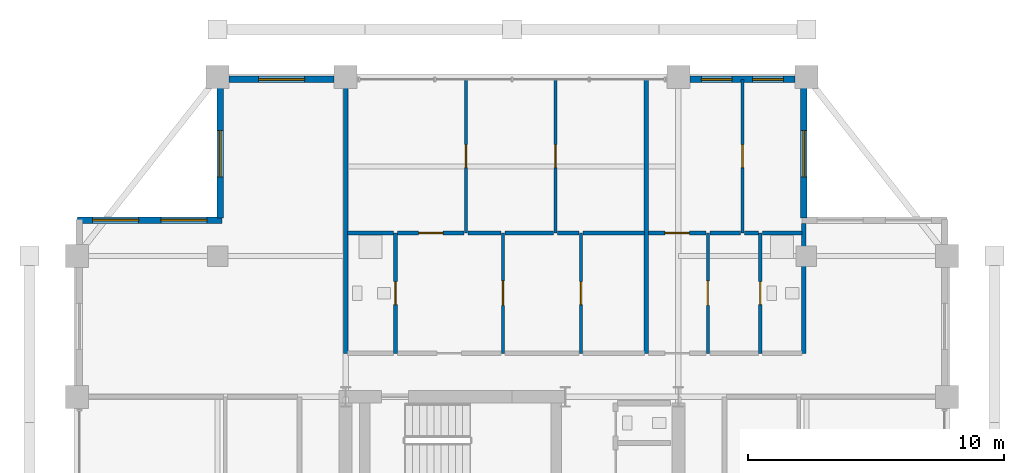
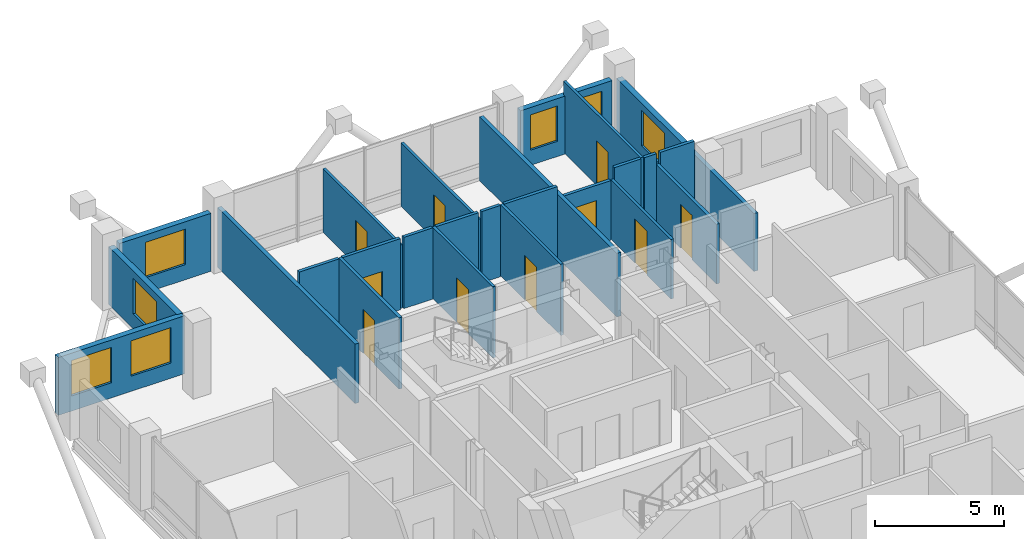
# One storey, part 21 of 24: 26 walls, 10 doors, 7 windows, 17 openings.
"""IFC4 building model written with IfcOpenShell, lengths in metres."""

import ifcopenshell
import ifcopenshell.guid

model = None  # the IFC model being written
_history = None  # IfcOwnerHistory: only IFC2X3 demands one
_inside = {}  # id of a spatial element -> (the spatial element, [elements in it])
_under = {}  # id of a project, library or spatial element -> (it, [spatial elements below it])
_declared = {}  # id of a project -> (the project, [libraries it declares])
_typed = {}  # id of a type object -> (the type object, [elements of that type])
_made_of = {}  # id of a material, layer set ... -> (it, [elements and type objects made of it])


def new_model(schema):
    """Start an empty IFC model of exactly this schema.

    Asked for "IFC4X3", IfcOpenShell would pick the latest addendum, in which some entities
    have other attributes; the version numbers below select the first issue.
    IFC2X3 requires an IfcOwnerHistory on every rooted entity: one is made here for all.
    """
    global model, _history
    if schema == "IFC4X3":
        model = ifcopenshell.file(schema_version=(4, 3, 0, 0))
    else:
        model = ifcopenshell.file(schema=schema)
    _inside.clear()
    _under.clear()
    _declared.clear()
    _typed.clear()
    _made_of.clear()
    _history = None
    if model.schema == "IFC2X3":
        org = make("IfcOrganization", Name="unknown")
        user = make(
            "IfcPersonAndOrganization",
            ThePerson=make("IfcPerson", FamilyName="unknown"),
            TheOrganization=org,
        )
        app = make(
            "IfcApplication",
            ApplicationDeveloper=org,
            Version="unknown",
            ApplicationFullName="unknown",
            ApplicationIdentifier="unknown",
        )
        _history = make(
            "IfcOwnerHistory",
            OwningUser=user,
            OwningApplication=app,
            ChangeAction="ADDED",
            CreationDate=0,
        )
    return model


def make(cls, **values):
    """One entity of the class cls with the attributes given. An attribute that is None is left unset."""
    return model.create_entity(
        cls, **{name: value for name, value in values.items() if value is not None}
    )


def rooted(cls, **values):
    """An entity with a GlobalId (a new one), such as an element, a storey or a relation."""
    return make(cls, GlobalId=ifcopenshell.guid.new(), OwnerHistory=_history, **values)


def si_unit(unit_type, name, prefix=None):
    """IfcSIUnit, for example si_unit("LENGTHUNIT", "METRE", prefix="MILLI")."""
    return make("IfcSIUnit", UnitType=unit_type, Prefix=prefix, Name=name)


def assignment(units):
    """IfcUnitAssignment: the units of a project."""
    return None if units is None else make("IfcUnitAssignment", Units=units)


def point(xyz):
    """IfcCartesianPoint."""
    return None if xyz is None else make("IfcCartesianPoint", Coordinates=xyz)


def direction(xyz):
    """IfcDirection."""
    return None if xyz is None else make("IfcDirection", DirectionRatios=xyz)


def frame(location, z_axis=None, x_axis=None):
    """IfcAxis2Placement3D, a coordinate frame: its origin and axes. An axis left out is left unset."""
    return make(
        "IfcAxis2Placement3D",
        Location=point(location),
        Axis=direction(z_axis),
        RefDirection=direction(x_axis),
    )


def frame_2d(location, x_axis=None):
    """IfcAxis2Placement2D, a coordinate frame in the plane: its origin and x axis."""
    return make(
        "IfcAxis2Placement2D", Location=point(location), RefDirection=direction(x_axis)
    )


def origin():
    """The frame at (0, 0, 0) with its axes left unset."""
    return frame((0.0, 0.0, 0.0))


def place(relative_to, where):
    """IfcLocalPlacement: puts the frame where relative to a parent placement (None: the world)."""
    return make(
        "IfcLocalPlacement", PlacementRelTo=relative_to, RelativePlacement=where
    )


def context(
    kind, dimensions, precision=None, world=None, true_north=None, identifier=None
):
    """IfcGeometricRepresentationContext, for example the 3D "Model" context."""
    return make(
        "IfcGeometricRepresentationContext",
        ContextIdentifier=identifier,
        ContextType=kind,
        CoordinateSpaceDimension=dimensions,
        Precision=precision,
        WorldCoordinateSystem=world,
        TrueNorth=true_north,
    )


def subcontext(parent, identifier, kind, view, scale=None):
    """IfcGeometricRepresentationSubContext, for example "Body" below "Model"."""
    return make(
        "IfcGeometricRepresentationSubContext",
        ContextIdentifier=identifier,
        ContextType=kind,
        ParentContext=parent,
        TargetScale=scale,
        TargetView=view,
    )


def project(units=None, contexts=None):
    """IfcProject with its units and contexts."""
    return rooted(
        "IfcProject",
        Name="project",
        RepresentationContexts=contexts,
        UnitsInContext=assignment(units),
    )


def spatial(cls, under=None, at=None, **own):
    """A site, building, storey or space (cls), placed at a placement, below another one or the project."""
    s = rooted(cls, ObjectPlacement=at, **own)
    if under is not None:
        _under.setdefault(under.id(), (under, []))[1].append(s)
    return s


def profile(cls, at=None, kind="AREA", **sizes):
    """A parametric profile (cls). Its sizes go by their IFC names, for example OverallWidth=200.0."""
    return make(cls, ProfileType=kind, Position=at, **sizes)


def rectangle(**sizes):
    """IfcRectangleProfileDef."""
    return profile("IfcRectangleProfileDef", **sizes)


def extrude(swept, where, along, depth):
    """IfcExtrudedAreaSolid: the profile swept, set in the frame where, extruded along a direction by depth."""
    return make(
        "IfcExtrudedAreaSolid",
        SweptArea=swept,
        Position=where,
        ExtrudedDirection=direction(along),
        Depth=depth,
    )


def shape(context_of_items, identifier, shape_type, items):
    """IfcShapeRepresentation: the items that make up one representation, for example the "Body"."""
    return make(
        "IfcShapeRepresentation",
        ContextOfItems=context_of_items,
        RepresentationIdentifier=identifier,
        RepresentationType=shape_type,
        Items=items,
    )


def material(Name=None, Category=None):
    """IfcMaterial."""
    return make("IfcMaterial", Name=Name, Category=Category)


def layer(
    of_material, thickness, ventilated=None, Name=None, Category=None, Priority=None
):
    """IfcMaterialLayer: one layer of a wall or slab, of a material (None: an air gap)."""
    return make(
        "IfcMaterialLayer",
        Material=of_material,
        LayerThickness=thickness,
        IsVentilated=ventilated,
        Name=Name,
        Category=Category,
        Priority=Priority,
    )


def layer_set(layers, Name=None):
    """IfcMaterialLayerSet."""
    return make("IfcMaterialLayerSet", MaterialLayers=layers, LayerSetName=Name)


def made_of(thing, what):
    """Note that an element or type object is made of a material, layer set ...; save() writes the relation."""
    if what is not None:
        _made_of.setdefault(what.id(), (what, []))[1].append(thing)
    return thing


def type_object(cls, material=None, **own):
    """A type object (cls), such as IfcWallType, which elements share."""
    return made_of(rooted(cls, **own), material)


def element(
    cls,
    number,
    at=None,
    inside=None,
    cuts=None,
    type_object=None,
    material=None,
    context=None,
    identifier="Body",
    shape_type=None,
    held_by="IfcProductDefinitionShape",
    body=None,
    shapes=None,
    **own,
):
    """One element of the class cls, such as IfcWall. Its Tag is "e" and its number.

    at: its placement. inside: the storey or other place that contains it. cuts: it is an
    opening in that element (IfcRelVoidsElement). A single representation is given by context,
    identifier, shape_type and body (its items); several are given by shapes. held_by: the class
    of the entity that holds the representations. save() writes the other relations.
    """
    e = rooted(cls, Tag="e%d" % number, ObjectPlacement=at, **own)
    if body is not None:
        shapes = [shape(context, identifier, shape_type, body)]
    if shapes is not None:
        e.Representation = make(held_by, Representations=shapes)
    if inside is not None:
        _inside.setdefault(inside.id(), (inside, []))[1].append(e)
    if cuts is not None:
        rooted(
            "IfcRelVoidsElement", RelatingBuildingElement=cuts, RelatedOpeningElement=e
        )
    if type_object is not None:
        _typed.setdefault(type_object.id(), (type_object, []))[1].append(e)
    return made_of(e, material)


def fill(opening, filler):
    """IfcRelFillsElement: the door or window that sits in an opening."""
    return rooted(
        "IfcRelFillsElement",
        RelatingOpeningElement=opening,
        RelatedBuildingElement=filler,
    )


def aggregate(whole, parts):
    """IfcRelAggregates: a whole, such as a stair, and the parts it consists of."""
    return rooted("IfcRelAggregates", RelatingObject=whole, RelatedObjects=parts)


def save(model, path):
    """Write the relations noted so far, then the file.

    IfcRelAggregates (storeys below a building ...), IfcRelContainedInSpatialStructure (elements
    in a storey), IfcRelDefinesByType, IfcRelAssociatesMaterial and IfcRelDeclares: one each for
    every whole, place, type object, material and project.
    """
    for whole, parts in _under.values():
        aggregate(whole, parts)
    for where, things in _inside.values():
        rooted(
            "IfcRelContainedInSpatialStructure",
            RelatedElements=things,
            RelatingStructure=where,
        )
    for kind, things in _typed.values():
        rooted("IfcRelDefinesByType", RelatedObjects=things, RelatingType=kind)
    for what, things in _made_of.values():
        rooted("IfcRelAssociatesMaterial", RelatedObjects=things, RelatingMaterial=what)
    for by, libraries in _declared.values():
        rooted("IfcRelDeclares", RelatingContext=by, RelatedDefinitions=libraries)
    model.write(path)


model = new_model("IFC4")

# Units and contexts
model_context = context("Model", 3, precision=1e-05, world=origin(), true_north=direction((0.0, 1.0)))
body_context = subcontext(model_context, "Body", "Model", "MODEL_VIEW")
ifc_project = project(units=[si_unit("LENGTHUNIT", "METRE"), si_unit("AREAUNIT", "SQUARE_METRE"), si_unit("VOLUMEUNIT", "CUBIC_METRE"), si_unit("PLANEANGLEUNIT", "RADIAN"), si_unit("MASSUNIT", "GRAM", prefix="KILO")], contexts=[model_context])

# Site, building, storey
site_placement = place(None, origin())
site = spatial("IfcSite", under=ifc_project, at=site_placement, CompositionType="ELEMENT")
building_placement = place(site_placement, origin())
building = spatial("IfcBuilding", under=site, at=building_placement, Name="Barlavira Tower and Art Museum", CompositionType="ELEMENT")
storey_placement = place(building_placement, frame((0.0, 0.0, 225.89990234375)))
storey = spatial("IfcBuildingStorey", under=building, at=storey_placement, Name="L58", CompositionType="ELEMENT", Elevation=225.89990234375)

# Wall, opening, door
ifc_material_1 = material(Name="Gypsum acoustic stud partition", Category="gypsum")
ifc_layer_1 = layer(ifc_material_1, 0.1201171875, Name="Gypsum acoustic stud partition")
ifc_layer_set_1 = layer_set([ifc_layer_1], Name="Gypsum acoustic stud partition")
wall_type_1 = type_object("IfcWallType", Name="Apartment Internal Acoustic Partition 120", PredefinedType="PARTITIONING", material=ifc_layer_set_1)
wall_1_placement = place(storey_placement, frame((-1.800048828125, 13.89990234375, 0.0), z_axis=(0.0, 0.0, 1.0), x_axis=(0.0, 1.0, 0.0)))
wall_1 = element("IfcWall", 1, at=wall_1_placement, inside=storey, type_object=wall_type_1, Name="L58 Partition Wall 10", PredefinedType="PARTITIONING", context=body_context, shape_type="SweptSolid", body=[
    extrude(rectangle(XDim=6.0, YDim=0.1201171875, at=frame_2d((3.0, 0.0))), origin(), (0.0, 0.0, 1.0), 3.01806640625),
])
opening_1_placement = place(wall_1_placement, frame((2.550048828125, 0.0, 0.0)))
opening_1 = element("IfcOpeningElement", 2, at=opening_1_placement, cuts=wall_1, Name="Opening D-01", PredefinedType="OPENING", context=body_context, shape_type="SweptSolid", body=[
    extrude(rectangle(XDim=0.89990234375, YDim=2.10009765625, at=frame_2d((0.449951171875, 1.050048828125))), frame((0.0, 0.070068359375, 0.0), z_axis=(0.0, -1.0, 0.0), x_axis=(1.0, 0.0, 0.0)), (0.0, 0.0, 1.0), 0.14013671875),
])
ifc_material_2 = material(Name="Engineered coastal hardwood", Category="wood")
door_type_1 = type_object("IfcDoorType", Name="Internal Bedroom Timber Flush Door 900x2100", OperationType="NOTDEFINED", PredefinedType="DOOR", material=ifc_material_2)
door_1_placement = place(opening_1_placement, origin())
door_1 = element("IfcDoor", 3, at=door_1_placement, inside=storey, type_object=door_type_1, Name="Apartment N1 Bedroom 1 Door", OperationType="SINGLE_SWING_RIGHT", OverallHeight=2.10009765625, OverallWidth=0.89990234375, PredefinedType="DOOR", context=body_context, shape_type="SweptSolid", body=[
    extrude(rectangle(XDim=0.89990234375, YDim=2.10009765625, at=frame_2d((0.449951171875, 1.050048828125))), frame((0.0, 0.02490234375, 0.0), z_axis=(0.0, -1.0, 0.0), x_axis=(1.0, 0.0, 0.0)), (0.0, 0.0, 1.0), 0.050048828125),
])
fill(opening_1, door_1)

wall_2_placement = place(storey_placement, frame((-0.35009765625, 9.199951171875, 0.0), z_axis=(0.0, 0.0, 1.0), x_axis=(0.0, 1.0, 0.0)))
wall_2 = element("IfcWall", 4, at=wall_2_placement, inside=storey, type_object=wall_type_1, Name="L58 Partition Wall 12", PredefinedType="PARTITIONING", context=body_context, shape_type="SweptSolid", body=[
    extrude(rectangle(XDim=4.699951171875, YDim=0.1201171875, at=frame_2d((2.35009765625, 0.0))), origin(), (0.0, 0.0, 1.0), 3.380126953125),
])
opening_2_placement = place(wall_2_placement, frame((1.875, 0.0, 0.0)))
opening_2 = element("IfcOpeningElement", 5, at=opening_2_placement, cuts=wall_2, Name="Opening D-02", PredefinedType="OPENING", context=body_context, shape_type="SweptSolid", body=[
    extrude(rectangle(XDim=0.949951171875, YDim=2.10009765625, at=frame_2d((0.47509765625, 1.050048828125))), frame((0.0, 0.070068359375, 0.0), z_axis=(0.0, -1.0, 0.0), x_axis=(1.0, 0.0, 0.0)), (0.0, 0.0, 1.0), 0.14013671875),
])
door_type_2 = type_object("IfcDoorType", Name="Living and Salon Glazed-Leaf Door 950x2100", OperationType="NOTDEFINED", PredefinedType="DOOR", material=ifc_material_2)
door_2_placement = place(opening_2_placement, origin())
door_2 = element("IfcDoor", 6, at=door_2_placement, inside=storey, type_object=door_type_2, Name="Apartment N1 Kitchen Door", OperationType="SINGLE_SWING_LEFT", OverallHeight=2.10009765625, OverallWidth=0.949951171875, PredefinedType="DOOR", context=body_context, shape_type="SweptSolid", body=[
    extrude(rectangle(XDim=0.949951171875, YDim=2.10009765625, at=frame_2d((0.47509765625, 1.050048828125))), frame((0.0, 0.02490234375, 0.0), z_axis=(0.0, -1.0, 0.0), x_axis=(1.0, 0.0, 0.0)), (0.0, 0.0, 1.0), 0.050048828125),
])
fill(opening_2, door_2)

wall_3_placement = place(storey_placement, frame((1.699951171875, 13.89990234375, 0.0), z_axis=(0.0, 0.0, 1.0), x_axis=(0.0, 1.0, 0.0)))
wall_3 = element("IfcWall", 7, at=wall_3_placement, inside=storey, type_object=wall_type_1, Name="L58 Partition Wall 14", PredefinedType="PARTITIONING", context=body_context, shape_type="SweptSolid", body=[
    extrude(rectangle(XDim=6.0, YDim=0.1201171875, at=frame_2d((3.0, 0.0))), origin(), (0.0, 0.0, 1.0), 3.01806640625),
])
opening_3_placement = place(wall_3_placement, frame((2.550048828125, 0.0, 0.0)))
opening_3 = element("IfcOpeningElement", 8, at=opening_3_placement, cuts=wall_3, Name="Opening D-01", PredefinedType="OPENING", context=body_context, shape_type="SweptSolid", body=[
    extrude(rectangle(XDim=0.89990234375, YDim=2.10009765625, at=frame_2d((0.449951171875, 1.050048828125))), frame((0.0, 0.070068359375, 0.0), z_axis=(0.0, -1.0, 0.0), x_axis=(1.0, 0.0, 0.0)), (0.0, 0.0, 1.0), 0.14013671875),
])
door_3_placement = place(opening_3_placement, origin())
door_3 = element("IfcDoor", 9, at=door_3_placement, inside=storey, type_object=door_type_1, Name="Apartment N1 Bedroom 2 Door", OperationType="SINGLE_SWING_LEFT", OverallHeight=2.10009765625, OverallWidth=0.89990234375, PredefinedType="DOOR", context=body_context, shape_type="SweptSolid", body=[
    extrude(rectangle(XDim=0.89990234375, YDim=2.10009765625, at=frame_2d((0.449951171875, 1.050048828125))), frame((0.0, 0.02490234375, 0.0), z_axis=(0.0, -1.0, 0.0), x_axis=(1.0, 0.0, 0.0)), (0.0, 0.0, 1.0), 0.050048828125),
])
fill(opening_3, door_3)

wall_4_placement = place(storey_placement, frame((2.699951171875, 9.199951171875, 0.0), z_axis=(0.0, 0.0, 1.0), x_axis=(0.0, 1.0, 0.0)))
wall_4 = element("IfcWall", 10, at=wall_4_placement, inside=storey, type_object=wall_type_1, Name="L58 Partition Wall 16", PredefinedType="PARTITIONING", context=body_context, shape_type="SweptSolid", body=[
    extrude(rectangle(XDim=4.699951171875, YDim=0.1201171875, at=frame_2d((2.35009765625, 0.0))), origin(), (0.0, 0.0, 1.0), 3.380126953125),
])
opening_4_placement = place(wall_4_placement, frame((1.89990234375, 0.0, 0.0)))
opening_4 = element("IfcOpeningElement", 11, at=opening_4_placement, cuts=wall_4, Name="Opening D-01", PredefinedType="OPENING", context=body_context, shape_type="SweptSolid", body=[
    extrude(rectangle(XDim=0.89990234375, YDim=2.10009765625, at=frame_2d((0.449951171875, 1.050048828125))), frame((0.0, 0.070068359375, 0.0), z_axis=(0.0, -1.0, 0.0), x_axis=(1.0, 0.0, 0.0)), (0.0, 0.0, 1.0), 0.14013671875),
])
door_4_placement = place(opening_4_placement, origin())
door_4 = element("IfcDoor", 12, at=door_4_placement, inside=storey, type_object=door_type_1, Name="Apartment N1 Walk-In Dressing Room Door", OperationType="SINGLE_SWING_RIGHT", OverallHeight=2.10009765625, OverallWidth=0.89990234375, PredefinedType="DOOR", context=body_context, shape_type="SweptSolid", body=[
    extrude(rectangle(XDim=0.89990234375, YDim=2.10009765625, at=frame_2d((0.449951171875, 1.050048828125))), frame((0.0, 0.02490234375, 0.0), z_axis=(0.0, -1.0, 0.0), x_axis=(1.0, 0.0, 0.0)), (0.0, 0.0, 1.0), 0.050048828125),
])
fill(opening_4, door_4)

wall_5_placement = place(storey_placement, frame((7.64990234375, 9.199951171875, 0.0), z_axis=(0.0, 0.0, 1.0), x_axis=(0.0, 1.0, 0.0)))
wall_5 = element("IfcWall", 13, at=wall_5_placement, inside=storey, type_object=wall_type_1, Name="L58 Partition Wall 22", PredefinedType="PARTITIONING", context=body_context, shape_type="SweptSolid", body=[
    extrude(rectangle(XDim=4.699951171875, YDim=0.1201171875, at=frame_2d((2.35009765625, 0.0))), origin(), (0.0, 0.0, 1.0), 2.826171875),
])
opening_5_placement = place(wall_5_placement, frame((1.875, 0.0, 0.0)))
opening_5 = element("IfcOpeningElement", 14, at=opening_5_placement, cuts=wall_5, Name="Opening D-02", PredefinedType="OPENING", context=body_context, shape_type="SweptSolid", body=[
    extrude(rectangle(XDim=0.949951171875, YDim=2.10009765625, at=frame_2d((0.47509765625, 1.050048828125))), frame((0.0, 0.070068359375, 0.0), z_axis=(0.0, -1.0, 0.0), x_axis=(1.0, 0.0, 0.0)), (0.0, 0.0, 1.0), 0.14013671875),
])
door_5_placement = place(opening_5_placement, origin())
door_5 = element("IfcDoor", 15, at=door_5_placement, inside=storey, type_object=door_type_2, Name="Apartment N2 Kitchen Door", OperationType="SINGLE_SWING_LEFT", OverallHeight=2.10009765625, OverallWidth=0.949951171875, PredefinedType="DOOR", context=body_context, shape_type="SweptSolid", body=[
    extrude(rectangle(XDim=0.949951171875, YDim=2.10009765625, at=frame_2d((0.47509765625, 1.050048828125))), frame((0.0, 0.02490234375, 0.0), z_axis=(0.0, -1.0, 0.0), x_axis=(1.0, 0.0, 0.0)), (0.0, 0.0, 1.0), 0.050048828125),
])
fill(opening_5, door_5)

wall_6_placement = place(storey_placement, frame((9.0, 13.89990234375, 0.0), z_axis=(0.0, 0.0, 1.0), x_axis=(0.0, 1.0, 0.0)))
wall_6 = element("IfcWall", 16, at=wall_6_placement, inside=storey, type_object=wall_type_1, Name="L58 Partition Wall 25", PredefinedType="PARTITIONING", context=body_context, shape_type="SweptSolid", body=[
    extrude(rectangle(XDim=6.0, YDim=0.1201171875, at=frame_2d((3.0, 0.0))), origin(), (0.0, 0.0, 1.0), 3.380126953125),
])
opening_6_placement = place(wall_6_placement, frame((2.550048828125, 0.0, 0.0)))
opening_6 = element("IfcOpeningElement", 17, at=opening_6_placement, cuts=wall_6, Name="Opening D-01", PredefinedType="OPENING", context=body_context, shape_type="SweptSolid", body=[
    extrude(rectangle(XDim=0.89990234375, YDim=2.10009765625, at=frame_2d((0.449951171875, 1.050048828125))), frame((0.0, 0.070068359375, 0.0), z_axis=(0.0, -1.0, 0.0), x_axis=(1.0, 0.0, 0.0)), (0.0, 0.0, 1.0), 0.14013671875),
])
door_6_placement = place(opening_6_placement, origin())
door_6 = element("IfcDoor", 18, at=door_6_placement, inside=storey, type_object=door_type_1, Name="Apartment N2 Bedroom 1 Door", OperationType="SINGLE_SWING_RIGHT", OverallHeight=2.10009765625, OverallWidth=0.89990234375, PredefinedType="DOOR", context=body_context, shape_type="SweptSolid", body=[
    extrude(rectangle(XDim=0.89990234375, YDim=2.10009765625, at=frame_2d((0.449951171875, 1.050048828125))), frame((0.0, 0.02490234375, 0.0), z_axis=(0.0, -1.0, 0.0), x_axis=(1.0, 0.0, 0.0)), (0.0, 0.0, 1.0), 0.050048828125),
])
fill(opening_6, door_6)

# Walls
ifc_layer_2 = layer(ifc_material_1, 0.179931640625, Name="Gypsum acoustic stud partition")
ifc_layer_set_2 = layer_set([ifc_layer_2], Name="Gypsum acoustic stud partition")
wall_type_2 = type_object("IfcWallType", Name="Inter-Tenancy Party Partition Wall 180", PredefinedType="PARTITIONING", material=ifc_layer_set_2)
wall_7_placement = place(storey_placement, frame((-6.5, 9.199951171875, 0.0), z_axis=(0.0, 0.0, 1.0), x_axis=(0.0, 1.0, 0.0)))
element("IfcWall", 19, at=wall_7_placement, inside=storey, type_object=wall_type_2, Name="L58 Partition Wall 4", PredefinedType="PARTITIONING", context=body_context, shape_type="SweptSolid", body=[
    extrude(rectangle(XDim=10.699951171875, YDim=0.179931640625, at=frame_2d((5.35009765625, 0.0))), origin(), (0.0, 0.0, 1.0), 2.826171875),
])
wall_8_placement = place(storey_placement, frame((5.25, 9.199951171875, 0.0), z_axis=(0.0, 0.0, 1.0), x_axis=(0.0, 1.0, 0.0)))
element("IfcWall", 20, at=wall_8_placement, inside=storey, type_object=wall_type_2, Name="L58 Partition Wall 20", PredefinedType="PARTITIONING", context=body_context, shape_type="SweptSolid", body=[
    extrude(rectangle(XDim=10.699951171875, YDim=0.179931640625, at=frame_2d((5.35009765625, 0.0))), origin(), (0.0, 0.0, 1.0), 3.01806640625),
])
wall_9_placement = place(storey_placement, frame((11.39990234375, 9.199951171875, 0.0), z_axis=(0.0, 0.0, 1.0), x_axis=(0.0, 1.0, 0.0)))
element("IfcWall", 21, at=wall_9_placement, inside=storey, type_object=wall_type_2, Name="L58 Partition Wall 29", PredefinedType="PARTITIONING", context=body_context, shape_type="SweptSolid", body=[
    extrude(rectangle(XDim=5.070068359375, YDim=0.179931640625, at=frame_2d((2.53515625, 0.0))), origin(), (0.0, 0.0, 1.0), 2.748046875),
])

# Wall, opening, door
ifc_layer_3 = layer(ifc_material_1, 0.139892578125, Name="Gypsum acoustic stud partition")
ifc_layer_set_3 = layer_set([ifc_layer_3], Name="Gypsum acoustic stud partition")
wall_type_3 = type_object("IfcWallType", Name="Moisture-Resistant Bathroom Partition 140", PredefinedType="PARTITIONING", material=ifc_layer_set_3)
wall_10_placement = place(storey_placement, frame((-4.550048828125, 9.199951171875, 0.0), z_axis=(0.0, 0.0, 1.0), x_axis=(0.0, 1.0, 0.0)))
wall_10 = element("IfcWall", 22, at=wall_10_placement, inside=storey, type_object=wall_type_3, Name="L58 Partition Wall 7", PredefinedType="PARTITIONING", context=body_context, shape_type="SweptSolid", body=[
    extrude(rectangle(XDim=4.699951171875, YDim=0.139892578125, at=frame_2d((2.35009765625, 0.0))), origin(), (0.0, 0.0, 1.0), 3.380126953125),
])
opening_7_placement = place(wall_10_placement, frame((1.89990234375, 0.0, 0.0)))
opening_7 = element("IfcOpeningElement", 23, at=opening_7_placement, cuts=wall_10, Name="Opening D-WC", PredefinedType="OPENING", context=body_context, shape_type="SweptSolid", body=[
    extrude(rectangle(XDim=0.89990234375, YDim=2.10009765625, at=frame_2d((0.449951171875, 1.050048828125))), frame((0.0, 0.080078125, 0.0), z_axis=(0.0, -1.0, 0.0), x_axis=(1.0, 0.0, 0.0)), (0.0, 0.0, 1.0), 0.159912109375),
])
door_type_3 = type_object("IfcDoorType", Name="Accessible Bathroom Flush Door 900x2100", OperationType="NOTDEFINED", PredefinedType="DOOR", material=ifc_material_2)
door_7_placement = place(opening_7_placement, origin())
door_7 = element("IfcDoor", 24, at=door_7_placement, inside=storey, type_object=door_type_3, Name="Apartment N1 Hall Bathroom Door", OperationType="SINGLE_SWING_LEFT", OverallHeight=2.10009765625, OverallWidth=0.89990234375, PredefinedType="DOOR", context=body_context, shape_type="SweptSolid", body=[
    extrude(rectangle(XDim=0.89990234375, YDim=2.10009765625, at=frame_2d((0.449951171875, 1.050048828125))), frame((0.0, 0.02490234375, 0.0), z_axis=(0.0, -1.0, 0.0), x_axis=(1.0, 0.0, 0.0)), (0.0, 0.0, 1.0), 0.050048828125),
])
fill(opening_7, door_7)

wall_11_placement = place(storey_placement, frame((9.699951171875, 9.199951171875, 0.0), z_axis=(0.0, 0.0, 1.0), x_axis=(0.0, 1.0, 0.0)))
wall_11 = element("IfcWall", 25, at=wall_11_placement, inside=storey, type_object=wall_type_3, Name="L58 Partition Wall 26", PredefinedType="PARTITIONING", context=body_context, shape_type="SweptSolid", body=[
    extrude(rectangle(XDim=4.699951171875, YDim=0.139892578125, at=frame_2d((2.35009765625, 0.0))), origin(), (0.0, 0.0, 1.0), 2.826171875),
])
opening_8_placement = place(wall_11_placement, frame((1.89990234375, 0.0, 0.0)))
opening_8 = element("IfcOpeningElement", 26, at=opening_8_placement, cuts=wall_11, Name="Opening D-WC", PredefinedType="OPENING", context=body_context, shape_type="SweptSolid", body=[
    extrude(rectangle(XDim=0.89990234375, YDim=2.10009765625, at=frame_2d((0.449951171875, 1.050048828125))), frame((0.0, 0.080078125, 0.0), z_axis=(0.0, -1.0, 0.0), x_axis=(1.0, 0.0, 0.0)), (0.0, 0.0, 1.0), 0.159912109375),
])
door_8_placement = place(opening_8_placement, origin())
door_8 = element("IfcDoor", 27, at=door_8_placement, inside=storey, type_object=door_type_3, Name="Apartment N2 Hall Bathroom Door", OperationType="SINGLE_SWING_RIGHT", OverallHeight=2.10009765625, OverallWidth=0.89990234375, PredefinedType="DOOR", context=body_context, shape_type="SweptSolid", body=[
    extrude(rectangle(XDim=0.89990234375, YDim=2.10009765625, at=frame_2d((0.449951171875, 1.050048828125))), frame((0.0, 0.02490234375, 0.0), z_axis=(0.0, -1.0, 0.0), x_axis=(1.0, 0.0, 0.0)), (0.0, 0.0, 1.0), 0.050048828125),
])
fill(opening_8, door_8)

# Wall
wall_12_placement = place(storey_placement, frame((-6.419921875, 13.89990234375, 0.0), z_axis=(0.0, 0.0, 1.0), x_axis=(1.0, 0.0, 0.0)))
element("IfcWall", 28, at=wall_12_placement, inside=storey, type_object=wall_type_3, Name="L58 Partition Wall 74", PredefinedType="PARTITIONING", context=body_context, shape_type="SweptSolid", body=[
    extrude(rectangle(XDim=1.7900390625, YDim=0.139892578125, at=frame_2d((0.89501953125, 0.0))), origin(), (0.0, 0.0, 1.0), 3.380126953125),
])

# Wall, opening, door
wall_13_placement = place(storey_placement, frame((-4.469970703125, 13.89990234375, 0.0), z_axis=(0.0, 0.0, 1.0), x_axis=(1.0, 0.0, 0.0)))
wall_13 = element("IfcWall", 29, at=wall_13_placement, inside=storey, type_object=wall_type_3, Name="L58 Partition Wall 75", PredefinedType="PARTITIONING", context=body_context, shape_type="SweptSolid", body=[
    extrude(rectangle(XDim=2.590087890625, YDim=0.139892578125, at=frame_2d((1.294921875, 0.0))), origin(), (0.0, 0.0, 1.0), 3.380126953125),
])
opening_9_placement = place(wall_13_placement, frame((0.824951171875, 0.0, 0.0)))
opening_9 = element("IfcOpeningElement", 30, at=opening_9_placement, cuts=wall_13, Name="Opening D-02", PredefinedType="OPENING", context=body_context, shape_type="SweptSolid", body=[
    extrude(rectangle(XDim=0.949951171875, YDim=2.10009765625, at=frame_2d((0.47509765625, 1.050048828125))), frame((0.0, 0.080078125, 0.0), z_axis=(0.0, -1.0, 0.0), x_axis=(1.0, 0.0, 0.0)), (0.0, 0.0, 1.0), 0.159912109375),
])
door_9_placement = place(opening_9_placement, origin())
door_9 = element("IfcDoor", 31, at=door_9_placement, inside=storey, type_object=door_type_2, Name="Apartment N1 Living Lounge Door", OperationType="SINGLE_SWING_LEFT", OverallHeight=2.10009765625, OverallWidth=0.949951171875, PredefinedType="DOOR", context=body_context, shape_type="SweptSolid", body=[
    extrude(rectangle(XDim=0.949951171875, YDim=2.10009765625, at=frame_2d((0.47509765625, 1.050048828125))), frame((0.0, 0.02490234375, 0.0), z_axis=(0.0, -1.0, 0.0), x_axis=(1.0, 0.0, 0.0)), (0.0, 0.0, 1.0), 0.050048828125),
])
fill(opening_9, door_9)

# Walls
wall_14_placement = place(storey_placement, frame((-1.719970703125, 13.89990234375, 0.0), z_axis=(0.0, 0.0, 1.0), x_axis=(1.0, 0.0, 0.0)))
element("IfcWall", 32, at=wall_14_placement, inside=storey, type_object=wall_type_3, Name="L58 Partition Wall 76", PredefinedType="PARTITIONING", context=body_context, shape_type="SweptSolid", body=[
    extrude(rectangle(XDim=1.2900390625, YDim=0.139892578125, at=frame_2d((0.64501953125, 0.0))), origin(), (0.0, 0.0, 1.0), 3.380126953125),
])
wall_15_placement = place(storey_placement, frame((-0.27001953125, 13.89990234375, 0.0), z_axis=(0.0, 0.0, 1.0), x_axis=(1.0, 0.0, 0.0)))
element("IfcWall", 33, at=wall_15_placement, inside=storey, type_object=wall_type_3, Name="L58 Partition Wall 77", PredefinedType="PARTITIONING", context=body_context, shape_type="SweptSolid", body=[
    extrude(rectangle(XDim=1.89013671875, YDim=0.139892578125, at=frame_2d((0.945068359375, 0.0))), origin(), (0.0, 0.0, 1.0), 3.380126953125),
])
wall_16_placement = place(storey_placement, frame((1.780029296875, 13.89990234375, 0.0), z_axis=(0.0, 0.0, 1.0), x_axis=(1.0, 0.0, 0.0)))
element("IfcWall", 34, at=wall_16_placement, inside=storey, type_object=wall_type_3, Name="L58 Partition Wall 78", PredefinedType="PARTITIONING", context=body_context, shape_type="SweptSolid", body=[
    extrude(rectangle(XDim=0.840087890625, YDim=0.139892578125, at=frame_2d((0.419921875, 0.0))), origin(), (0.0, 0.0, 1.0), 3.380126953125),
])
wall_17_placement = place(storey_placement, frame((2.780029296875, 13.89990234375, 0.0), z_axis=(0.0, 0.0, 1.0), x_axis=(1.0, 0.0, 0.0)))
element("IfcWall", 35, at=wall_17_placement, inside=storey, type_object=wall_type_3, Name="L58 Partition Wall 79", PredefinedType="PARTITIONING", context=body_context, shape_type="SweptSolid", body=[
    extrude(rectangle(XDim=2.389892578125, YDim=0.139892578125, at=frame_2d((1.19482421875, 0.0))), origin(), (0.0, 0.0, 1.0), 3.380126953125),
])

# Wall, opening, door
wall_18_placement = place(storey_placement, frame((5.330078125, 13.89990234375, 0.0), z_axis=(0.0, 0.0, 1.0), x_axis=(1.0, 0.0, 0.0)))
wall_18 = element("IfcWall", 36, at=wall_18_placement, inside=storey, type_object=wall_type_3, Name="L58 Partition Wall 80", PredefinedType="PARTITIONING", context=body_context, shape_type="SweptSolid", body=[
    extrude(rectangle(XDim=2.239990234375, YDim=0.139892578125, at=frame_2d((1.1201171875, 0.0))), origin(), (0.0, 0.0, 1.0), 2.826171875),
])
opening_10_placement = place(wall_18_placement, frame((0.64501953125, 0.0, 0.0)))
opening_10 = element("IfcOpeningElement", 37, at=opening_10_placement, cuts=wall_18, Name="Opening D-02", PredefinedType="OPENING", context=body_context, shape_type="SweptSolid", body=[
    extrude(rectangle(XDim=0.949951171875, YDim=2.10009765625, at=frame_2d((0.47509765625, 1.050048828125))), frame((0.0, 0.080078125, 0.0), z_axis=(0.0, -1.0, 0.0), x_axis=(1.0, 0.0, 0.0)), (0.0, 0.0, 1.0), 0.159912109375),
])
door_10_placement = place(opening_10_placement, origin())
door_10 = element("IfcDoor", 38, at=door_10_placement, inside=storey, type_object=door_type_2, Name="Apartment N2 Living Lounge Door", OperationType="SINGLE_SWING_LEFT", OverallHeight=2.10009765625, OverallWidth=0.949951171875, PredefinedType="DOOR", context=body_context, shape_type="SweptSolid", body=[
    extrude(rectangle(XDim=0.949951171875, YDim=2.10009765625, at=frame_2d((0.47509765625, 1.050048828125))), frame((0.0, 0.02490234375, 0.0), z_axis=(0.0, -1.0, 0.0), x_axis=(1.0, 0.0, 0.0)), (0.0, 0.0, 1.0), 0.050048828125),
])
fill(opening_10, door_10)

# Walls
wall_19_placement = place(storey_placement, frame((7.72998046875, 13.89990234375, 0.0), z_axis=(0.0, 0.0, 1.0), x_axis=(1.0, 0.0, 0.0)))
element("IfcWall", 39, at=wall_19_placement, inside=storey, type_object=wall_type_3, Name="L58 Partition Wall 81", PredefinedType="PARTITIONING", context=body_context, shape_type="SweptSolid", body=[
    extrude(rectangle(XDim=1.18994140625, YDim=0.139892578125, at=frame_2d((0.594970703125, 0.0))), origin(), (0.0, 0.0, 1.0), 3.380126953125),
])
wall_20_placement = place(storey_placement, frame((9.080078125, 13.89990234375, 0.0), z_axis=(0.0, 0.0, 1.0), x_axis=(1.0, 0.0, 0.0)))
element("IfcWall", 40, at=wall_20_placement, inside=storey, type_object=wall_type_3, Name="L58 Partition Wall 82", PredefinedType="PARTITIONING", context=body_context, shape_type="SweptSolid", body=[
    extrude(rectangle(XDim=0.5400390625, YDim=0.139892578125, at=frame_2d((0.27001953125, 0.0))), origin(), (0.0, 0.0, 1.0), 3.380126953125),
])
wall_21_placement = place(storey_placement, frame((9.780029296875, 13.89990234375, 0.0), z_axis=(0.0, 0.0, 1.0), x_axis=(1.0, 0.0, 0.0)))
element("IfcWall", 41, at=wall_21_placement, inside=storey, type_object=wall_type_3, Name="L58 Partition Wall 83", PredefinedType="PARTITIONING", context=body_context, shape_type="SweptSolid", body=[
    extrude(rectangle(XDim=1.5400390625, YDim=0.139892578125, at=frame_2d((0.77001953125, 0.0))), origin(), (0.0, 0.0, 1.0), 3.380126953125),
])

# Wall, openings, windows
ifc_material_3 = material(Name="Precast concrete C40", Category="concrete")
ifc_layer_4 = layer(ifc_material_3, 0.25, Name="Precast concrete C40")
ifc_layer_set_4 = layer_set([ifc_layer_4], Name="Precast concrete C40")
wall_type_4 = type_object("IfcWallType", Name="Notched Corner Spandrel Wall 250 Precast Concrete C40", PredefinedType="SOLIDWALL", material=ifc_layer_set_4)
wall_22_placement = place(storey_placement, frame((11.054931640625, 19.89990234375, 0.0), z_axis=(0.0, 0.0, 1.0), x_axis=(-1.0, 0.0, 0.0)))
wall_22 = element("IfcWall", 42, at=wall_22_placement, inside=storey, type_object=wall_type_4, Name="L58 Coastal Facade Pier Wall CW4-L58-N-1", PredefinedType="SOLIDWALL", context=body_context, shape_type="SweptSolid", body=[
    extrude(rectangle(XDim=4.10986328125, YDim=0.25, at=frame_2d((2.054931640625, 0.0))), origin(), (0.0, 0.0, 1.0), 2.748046875),
])
opening_11_placement = place(wall_22_placement, frame((0.449951171875, 0.0, 0.719970703125)))
opening_11 = element("IfcOpeningElement", 43, at=opening_11_placement, cuts=wall_22, Name="Opening WN-05", PredefinedType="OPENING", context=body_context, shape_type="SweptSolid", body=[
    extrude(rectangle(XDim=1.199951171875, YDim=1.679931640625, at=frame_2d((0.60009765625, 0.83984375))), frame((0.0, 0.135009765625, 0.0), z_axis=(0.0, -1.0, 0.0), x_axis=(1.0, 0.0, 0.0)), (0.0, 0.0, 1.0), 0.27001953125),
])
opening_12_placement = place(wall_22_placement, frame((2.4599609375, 0.0, 0.719970703125)))
opening_12 = element("IfcOpeningElement", 44, at=opening_12_placement, cuts=wall_22, Name="Opening WN-05", PredefinedType="OPENING", context=body_context, shape_type="SweptSolid", body=[
    extrude(rectangle(XDim=1.199951171875, YDim=1.679931640625, at=frame_2d((0.60009765625, 0.83984375))), frame((0.0, 0.135009765625, 0.0), z_axis=(0.0, -1.0, 0.0), x_axis=(1.0, 0.0, 0.0)), (0.0, 0.0, 1.0), 0.27001953125),
])
ifc_material_4 = material(Name="Low-iron coastal laminated glass", Category="glass")
window_type_1 = type_object("IfcWindowType", Name="Recessed Flank Pier Punch Window 1200x1680", PartitioningType="SINGLE_PANEL", PredefinedType="WINDOW", material=ifc_material_4)
window_1_placement = place(opening_11_placement, origin())
window_1 = element("IfcWindow", 45, at=window_1_placement, inside=storey, type_object=window_type_1, Name="L58 Punched Facade Window EWP-CW4-L58-N-1-1", OverallHeight=1.679931640625, OverallWidth=1.199951171875, PartitioningType="SINGLE_PANEL", PredefinedType="WINDOW", context=body_context, shape_type="SweptSolid", body=[
    extrude(rectangle(XDim=1.199951171875, YDim=1.679931640625, at=frame_2d((0.60009765625, 0.83984375))), frame((0.0, 0.030029296875, 0.0), z_axis=(0.0, -1.0, 0.0), x_axis=(1.0, 0.0, 0.0)), (0.0, 0.0, 1.0), 0.06005859375),
])
fill(opening_11, window_1)
window_2_placement = place(opening_12_placement, origin())
window_2 = element("IfcWindow", 46, at=window_2_placement, inside=storey, type_object=window_type_1, Name="L58 Punched Facade Window EWP-CW4-L58-N-1-2", OverallHeight=1.679931640625, OverallWidth=1.199951171875, PartitioningType="SINGLE_PANEL", PredefinedType="WINDOW", context=body_context, shape_type="SweptSolid", body=[
    extrude(rectangle(XDim=1.199951171875, YDim=1.679931640625, at=frame_2d((0.60009765625, 0.83984375))), frame((0.0, 0.030029296875, 0.0), z_axis=(0.0, -1.0, 0.0), x_axis=(1.0, 0.0, 0.0)), (0.0, 0.0, 1.0), 0.06005859375),
])
fill(opening_12, window_2)

# Wall, opening, window
wall_23_placement = place(storey_placement, frame((-6.945068359375, 19.89990234375, 0.0), z_axis=(0.0, 0.0, 1.0), x_axis=(-1.0, 0.0, 0.0)))
wall_23 = element("IfcWall", 47, at=wall_23_placement, inside=storey, type_object=wall_type_4, Name="L58 Coastal Facade Pier Wall CW4-L58-N-3", PredefinedType="SOLIDWALL", context=body_context, shape_type="SweptSolid", body=[
    extrude(rectangle(XDim=4.10986328125, YDim=0.25, at=frame_2d((2.054931640625, 0.0))), origin(), (0.0, 0.0, 1.0), 2.748046875),
])
opening_13_placement = place(wall_23_placement, frame((1.155029296875, 0.0, 0.719970703125)))
opening_13 = element("IfcOpeningElement", 48, at=opening_13_placement, cuts=wall_23, Name="Opening WN-01", PredefinedType="OPENING", context=body_context, shape_type="SweptSolid", body=[
    extrude(rectangle(XDim=1.800048828125, YDim=1.679931640625, at=frame_2d((0.89990234375, 0.83984375))), frame((0.0, 0.135009765625, 0.0), z_axis=(0.0, -1.0, 0.0), x_axis=(1.0, 0.0, 0.0)), (0.0, 0.0, 1.0), 0.27001953125),
])
window_type_2 = type_object("IfcWindowType", Name="Recessed Notch Corner Punch Window 1800x1680", PartitioningType="SINGLE_PANEL", PredefinedType="WINDOW", material=ifc_material_4)
window_3_placement = place(opening_13_placement, origin())
window_3 = element("IfcWindow", 49, at=window_3_placement, inside=storey, type_object=window_type_2, Name="L58 Punched Facade Window EWP-CW4-L58-N-3-1", OverallHeight=1.679931640625, OverallWidth=1.800048828125, PartitioningType="SINGLE_PANEL", PredefinedType="WINDOW", context=body_context, shape_type="SweptSolid", body=[
    extrude(rectangle(XDim=1.800048828125, YDim=1.679931640625, at=frame_2d((0.89990234375, 0.83984375))), frame((0.0, 0.030029296875, 0.0), z_axis=(0.0, -1.0, 0.0), x_axis=(1.0, 0.0, 0.0)), (0.0, 0.0, 1.0), 0.06005859375),
])
fill(opening_13, window_3)

wall_24_placement = place(storey_placement, frame((11.39990234375, 14.47998046875, 0.0), z_axis=(0.0, 0.0, 1.0), x_axis=(0.0, 1.0, 0.0)))
wall_24 = element("IfcWall", 50, at=wall_24_placement, inside=storey, type_object=wall_type_4, Name="L58 Notch Corner Wall NE2", PredefinedType="SOLIDWALL", context=body_context, shape_type="SweptSolid", body=[
    extrude(rectangle(XDim=5.340087890625, YDim=0.25, at=frame_2d((2.669921875, 0.0))), origin(), (0.0, 0.0, 1.0), 2.748046875),
])
opening_14_placement = place(wall_24_placement, frame((1.614990234375, 0.0, 0.719970703125)))
opening_14 = element("IfcOpeningElement", 51, at=opening_14_placement, cuts=wall_24, Name="Opening WN-01", PredefinedType="OPENING", context=body_context, shape_type="SweptSolid", body=[
    extrude(rectangle(XDim=1.800048828125, YDim=1.679931640625, at=frame_2d((0.89990234375, 0.83984375))), frame((0.0, 0.135009765625, 0.0), z_axis=(0.0, -1.0, 0.0), x_axis=(1.0, 0.0, 0.0)), (0.0, 0.0, 1.0), 0.27001953125),
])
window_4_placement = place(opening_14_placement, origin())
window_4 = element("IfcWindow", 52, at=window_4_placement, inside=storey, type_object=window_type_2, Name="L58 Punched Facade Window EW-NTC-L58-NE2-1", OverallHeight=1.679931640625, OverallWidth=1.800048828125, PartitioningType="SINGLE_PANEL", PredefinedType="WINDOW", context=body_context, shape_type="SweptSolid", body=[
    extrude(rectangle(XDim=1.800048828125, YDim=1.679931640625, at=frame_2d((0.89990234375, 0.83984375))), frame((0.0, 0.030029296875, 0.0), z_axis=(0.0, -1.0, 0.0), x_axis=(1.0, 0.0, 0.0)), (0.0, 0.0, 1.0), 0.06005859375),
])
fill(opening_14, window_4)

wall_25_placement = place(storey_placement, frame((-11.39990234375, 19.820068359375, 0.0), z_axis=(0.0, 0.0, 1.0), x_axis=(0.0, -1.0, 0.0)))
wall_25 = element("IfcWall", 53, at=wall_25_placement, inside=storey, type_object=wall_type_4, Name="L58 Notch Corner Wall NW1", PredefinedType="SOLIDWALL", context=body_context, shape_type="SweptSolid", body=[
    extrude(rectangle(XDim=5.340087890625, YDim=0.25, at=frame_2d((2.669921875, 0.0))), origin(), (0.0, 0.0, 1.0), 2.748046875),
])
opening_15_placement = place(wall_25_placement, frame((1.925048828125, 0.0, 0.719970703125)))
opening_15 = element("IfcOpeningElement", 54, at=opening_15_placement, cuts=wall_25, Name="Opening WN-01", PredefinedType="OPENING", context=body_context, shape_type="SweptSolid", body=[
    extrude(rectangle(XDim=1.800048828125, YDim=1.679931640625, at=frame_2d((0.89990234375, 0.83984375))), frame((0.0, 0.135009765625, 0.0), z_axis=(0.0, -1.0, 0.0), x_axis=(1.0, 0.0, 0.0)), (0.0, 0.0, 1.0), 0.27001953125),
])
window_5_placement = place(opening_15_placement, origin())
window_5 = element("IfcWindow", 55, at=window_5_placement, inside=storey, type_object=window_type_2, Name="L58 Punched Facade Window EW-NTC-L58-NW1-1", OverallHeight=1.679931640625, OverallWidth=1.800048828125, PartitioningType="SINGLE_PANEL", PredefinedType="WINDOW", context=body_context, shape_type="SweptSolid", body=[
    extrude(rectangle(XDim=1.800048828125, YDim=1.679931640625, at=frame_2d((0.89990234375, 0.83984375))), frame((0.0, 0.030029296875, 0.0), z_axis=(0.0, -1.0, 0.0), x_axis=(1.0, 0.0, 0.0)), (0.0, 0.0, 1.0), 0.06005859375),
])
fill(opening_15, window_5)

# Wall, openings, windows
wall_26_placement = place(storey_placement, frame((-11.320068359375, 14.39990234375, 0.0), z_axis=(0.0, 0.0, 1.0), x_axis=(-1.0, 0.0, 0.0)))
wall_26 = element("IfcWall", 56, at=wall_26_placement, inside=storey, type_object=wall_type_4, Name="L58 Notch Corner Wall NW2", PredefinedType="SOLIDWALL", context=body_context, shape_type="SweptSolid", body=[
    extrude(rectangle(XDim=5.659912109375, YDim=0.25, at=frame_2d((2.830078125, 0.0))), origin(), (0.0, 0.0, 1.0), 2.748046875),
])
opening_16_placement = place(wall_26_placement, frame((0.594970703125, 0.0, 0.719970703125)))
opening_16 = element("IfcOpeningElement", 57, at=opening_16_placement, cuts=wall_26, Name="Opening WN-01", PredefinedType="OPENING", context=body_context, shape_type="SweptSolid", body=[
    extrude(rectangle(XDim=1.800048828125, YDim=1.679931640625, at=frame_2d((0.89990234375, 0.83984375))), frame((0.0, 0.135009765625, 0.0), z_axis=(0.0, -1.0, 0.0), x_axis=(1.0, 0.0, 0.0)), (0.0, 0.0, 1.0), 0.27001953125),
])
opening_17_placement = place(wall_26_placement, frame((3.264892578125, 0.0, 0.719970703125)))
opening_17 = element("IfcOpeningElement", 58, at=opening_17_placement, cuts=wall_26, Name="Opening WN-01", PredefinedType="OPENING", context=body_context, shape_type="SweptSolid", body=[
    extrude(rectangle(XDim=1.800048828125, YDim=1.679931640625, at=frame_2d((0.89990234375, 0.83984375))), frame((0.0, 0.135009765625, 0.0), z_axis=(0.0, -1.0, 0.0), x_axis=(1.0, 0.0, 0.0)), (0.0, 0.0, 1.0), 0.27001953125),
])
window_6_placement = place(opening_16_placement, origin())
window_6 = element("IfcWindow", 59, at=window_6_placement, inside=storey, type_object=window_type_2, Name="L58 Punched Facade Window EW-NTC-L58-NW2-1", OverallHeight=1.679931640625, OverallWidth=1.800048828125, PartitioningType="SINGLE_PANEL", PredefinedType="WINDOW", context=body_context, shape_type="SweptSolid", body=[
    extrude(rectangle(XDim=1.800048828125, YDim=1.679931640625, at=frame_2d((0.89990234375, 0.83984375))), frame((0.0, 0.030029296875, 0.0), z_axis=(0.0, -1.0, 0.0), x_axis=(1.0, 0.0, 0.0)), (0.0, 0.0, 1.0), 0.06005859375),
])
fill(opening_16, window_6)
window_7_placement = place(opening_17_placement, origin())
window_7 = element("IfcWindow", 60, at=window_7_placement, inside=storey, type_object=window_type_2, Name="L58 Punched Facade Window EW-NTC-L58-NW2-2", OverallHeight=1.679931640625, OverallWidth=1.800048828125, PartitioningType="SINGLE_PANEL", PredefinedType="WINDOW", context=body_context, shape_type="SweptSolid", body=[
    extrude(rectangle(XDim=1.800048828125, YDim=1.679931640625, at=frame_2d((0.89990234375, 0.83984375))), frame((0.0, 0.030029296875, 0.0), z_axis=(0.0, -1.0, 0.0), x_axis=(1.0, 0.0, 0.0)), (0.0, 0.0, 1.0), 0.06005859375),
])
fill(opening_17, window_7)

save(model, "model.ifc")
